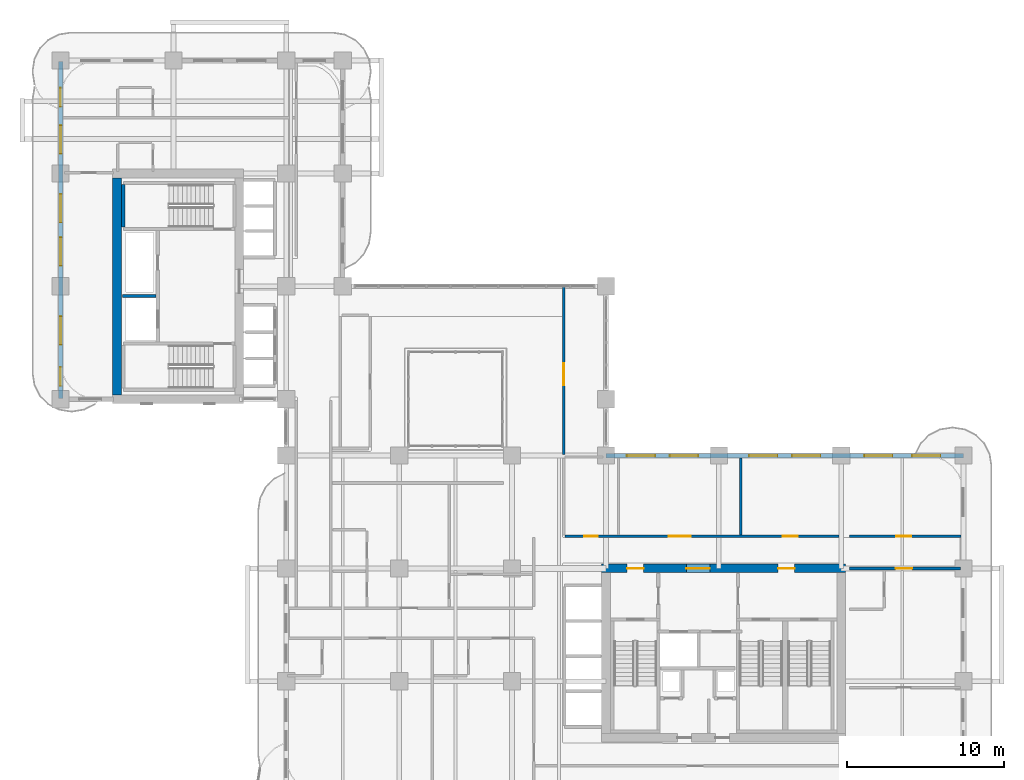
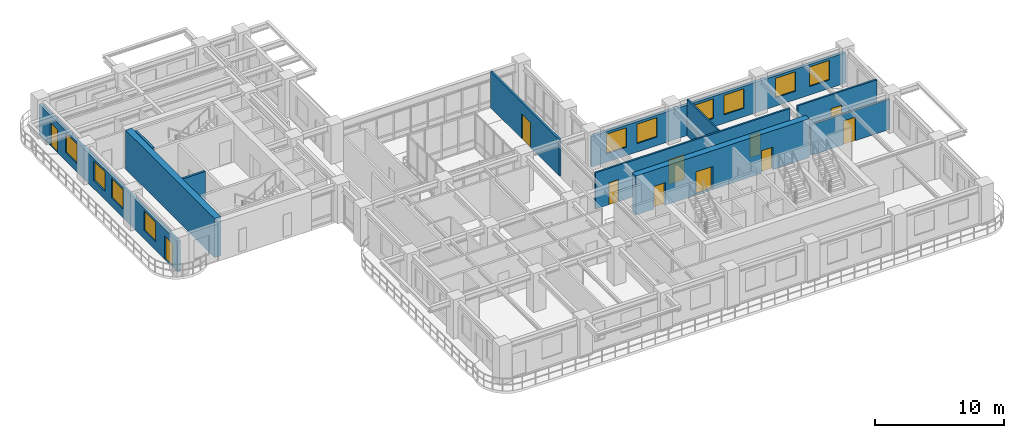
# One storey, part 15 of 22: 11 doors, 11 walls, 10 windows, 21 openings.
"""IFC4 building model written with IfcOpenShell, lengths in metres."""

from ifc_helpers import new_model, si_unit, derived_unit, direction, frame, frame_2d, origin, place, context, subcontext, project, spatial, rectangle, extrude, source, transform, mapped, material, layer, layer_set, type_object, type_shapes, element, fill, save


model = new_model("IFC4")

# Units and contexts
model_context = context("Model", 3, precision=1e-05, world=origin(), true_north=direction((0.0, 1.0)))
body_context = subcontext(model_context, "Body", "Model", "MODEL_VIEW")
ifc_project = project(units=[si_unit("LENGTHUNIT", "METRE"), si_unit("AREAUNIT", "SQUARE_METRE"), si_unit("VOLUMEUNIT", "CUBIC_METRE"), si_unit("PLANEANGLEUNIT", "RADIAN"), si_unit("MASSUNIT", "GRAM", prefix="KILO"), si_unit("THERMODYNAMICTEMPERATUREUNIT", "KELVIN"), si_unit("POWERUNIT", "WATT"), derived_unit("THERMALTRANSMITTANCEUNIT", [(si_unit("POWERUNIT", "WATT"), 1), (si_unit("AREAUNIT", "SQUARE_METRE"), -1), (si_unit("THERMODYNAMICTEMPERATUREUNIT", "KELVIN"), -1)])], contexts=[model_context])

# Site, building, storey
site_placement = place(None, origin())
site = spatial("IfcSite", under=ifc_project, at=site_placement, CompositionType="ELEMENT")
building_placement = place(site_placement, origin())
building = spatial("IfcBuilding", under=site, at=building_placement, Name="Zahravan Archway Hotel and Residences", CompositionType="ELEMENT")
storey_placement = place(building_placement, frame((0.0, 0.0, 87.89990234375)))
storey = spatial("IfcBuildingStorey", under=building, at=storey_placement, Name="L21", CompositionType="ELEMENT", Elevation=87.89990234375)

# Wall, openings, doors
ifc_material_1 = material(Name="Concrete C70/85", Category="concrete")
ifc_layer_1 = layer(ifc_material_1, 0.550048828125, Name="Concrete C70/85", Category="concrete")
ifc_layer_set_1 = layer_set([ifc_layer_1], Name="Concrete C70/85")
wall_type_1 = type_object("IfcWallType", Name="CW-CORE-550", PredefinedType="SHEAR", material=ifc_layer_set_1)
wall_1_placement = place(storey_placement, frame((34.52490234375, 14.39990234375, 0.0), z_axis=(0.0, 0.0, 1.0), x_axis=(1.0, 0.0, 0.0)))
wall_1 = element("IfcWall", 1, at=wall_1_placement, inside=storey, type_object=wall_type_1, Name="L21 Core A Shear N Wall 550 mm", PredefinedType="SHEAR", context=body_context, shape_type="SweptSolid", body=[
    extrude(rectangle(XDim=15.550048828125, YDim=0.550048828125, at=frame_2d((7.77490234375, 0.0))), origin(), (0.0, 0.0, 1.0), 3.7001953125),
])
opening_1_placement = place(wall_1_placement, frame((5.405029296875, 0.0, 0.0)))
opening_1 = element("IfcOpeningElement", 2, at=opening_1_placement, cuts=wall_1, Name="Opening FD-L1", PredefinedType="OPENING", context=body_context, shape_type="SweptSolid", body=[
    extrude(rectangle(XDim=1.5, YDim=2.199951171875, at=frame_2d((0.75, 1.10009765625))), frame((0.0, 0.28515625, 0.0), z_axis=(0.0, -1.0, 0.0), x_axis=(1.0, 0.0, 0.0)), (0.0, 0.0, 1.0), 0.570068359375),
])
opening_2_placement = place(wall_1_placement, frame((1.6201171875, 0.0, 0.0)))
opening_2 = element("IfcOpeningElement", 3, at=opening_2_placement, cuts=wall_1, Name="Opening FD-L2", PredefinedType="OPENING", context=body_context, shape_type="SweptSolid", body=[
    extrude(rectangle(XDim=1.050048828125, YDim=2.14990234375, at=frame_2d((0.52490234375, 1.074951171875))), frame((0.0, 0.28515625, 0.0), z_axis=(0.0, -1.0, 0.0), x_axis=(1.0, 0.0, 0.0)), (0.0, 0.0, 1.0), 0.570068359375),
])
opening_3_placement = place(wall_1_placement, frame((11.25, 0.0, 0.0)))
opening_3 = element("IfcOpeningElement", 4, at=opening_3_placement, cuts=wall_1, Name="Opening FD-L2", PredefinedType="OPENING", context=body_context, shape_type="SweptSolid", body=[
    extrude(rectangle(XDim=1.050048828125, YDim=2.14990234375, at=frame_2d((0.52490234375, 1.074951171875))), frame((0.0, 0.28515625, 0.0), z_axis=(0.0, -1.0, 0.0), x_axis=(1.0, 0.0, 0.0)), (0.0, 0.0, 1.0), 0.570068359375),
])
ifc_material_2 = material(Name="Fire-Rated Painted Steel", Category="steel")
door_type_1 = type_object("IfcDoorType", Name="FD-LOBBY-1100", OperationType="NOTDEFINED", PredefinedType="DOOR", material=ifc_material_2)
shared_shape_1 = source(origin(), body_context, "Body", "SweptSolid", [
    extrude(rectangle(XDim=1.050048828125, YDim=2.14990234375, at=frame_2d((0.52490234375, 1.074951171875))), frame((0.0, 0.02490234375, 0.0), z_axis=(0.0, -1.0, 0.0), x_axis=(1.0, 0.0, 0.0)), (0.0, 0.0, 1.0), 0.050048828125),
])
type_shapes(door_type_1, [shared_shape_1])
door_1_placement = place(opening_2_placement, origin())
door_1 = element("IfcDoor", 5, at=door_1_placement, inside=storey, type_object=door_type_1, Name="L21 Core A West Stair Lobby Door", OperationType="SINGLE_SWING_RIGHT", OverallHeight=2.14990234375, OverallWidth=1.050048828125, PredefinedType="DOOR", context=body_context, shape_type="MappedRepresentation", body=[
    mapped(shared_shape_1, transform((0.0, 0.0, 0.0), scale=1.0)),
])
fill(opening_2, door_1)
door_2_placement = place(opening_3_placement, origin())
door_2 = element("IfcDoor", 6, at=door_2_placement, inside=storey, type_object=door_type_1, Name="L21 Core A East Stair Lobby Door", OperationType="SINGLE_SWING_LEFT", OverallHeight=2.14990234375, OverallWidth=1.050048828125, PredefinedType="DOOR", context=body_context, shape_type="MappedRepresentation", body=[
    mapped(shared_shape_1, transform((0.0, 0.0, 0.0), scale=1.0)),
])
fill(opening_3, door_2)
door_type_2 = type_object("IfcDoorType", Name="FD-LOBBY-1500", OperationType="DOUBLE_DOOR_SINGLE_SWING", PredefinedType="DOOR", material=ifc_material_2)
shared_shape_2 = source(origin(), body_context, "Body", "SweptSolid", [
    extrude(rectangle(XDim=1.5, YDim=2.199951171875, at=frame_2d((0.75, 1.10009765625))), frame((0.0, 0.02490234375, 0.0), z_axis=(0.0, -1.0, 0.0), x_axis=(1.0, 0.0, 0.0)), (0.0, 0.0, 1.0), 0.050048828125),
])
type_shapes(door_type_2, [shared_shape_2])
door_3_placement = place(opening_1_placement, origin())
door_3 = element("IfcDoor", 7, at=door_3_placement, inside=storey, type_object=door_type_2, Name="L21 Core A FSAE Lobby Main Door", OperationType="DOUBLE_DOOR_SINGLE_SWING", OverallHeight=2.199951171875, OverallWidth=1.5, PredefinedType="DOOR", context=body_context, shape_type="MappedRepresentation", body=[
    mapped(shared_shape_2, transform((0.0, 0.0, 0.0), scale=1.0)),
])
fill(opening_1, door_3)

# Wall
wall_2_placement = place(storey_placement, frame((3.60009765625, 25.47509765625, 0.0), z_axis=(0.0, 0.0, 1.0), x_axis=(0.0, 1.0, 0.0)))
element("IfcWall", 8, at=wall_2_placement, inside=storey, type_object=wall_type_1, Name="L21 Core B Shear W Wall 550 mm", PredefinedType="SHEAR", context=body_context, shape_type="SweptSolid", body=[
    extrude(rectangle(XDim=13.849853515625, YDim=0.550048828125, at=frame_2d((6.9248046875, 0.0))), origin(), (0.0, 0.0, 1.0), 3.7001953125),
])

# Wall, openings, windows
ifc_material_3 = material(Name="Honed Red-Ochre Sandstone & Insulated Block", Category="masonry")
ifc_layer_2 = layer(ifc_material_3, 0.280029296875, Name="Honed Red-Ochre Sandstone & Insulated Block", Category="masonry")
ifc_layer_set_2 = layer_set([ifc_layer_2], Name="Honed Red-Ochre Sandstone & Insulated Block")
wall_type_2 = type_object("IfcWallType", Name="EW-LOG-280", PredefinedType="SOLIDWALL", material=ifc_layer_set_2)
wall_3_placement = place(storey_placement, frame((34.800048828125, 21.60009765625, 0.0), z_axis=(0.0, 0.0, 1.0), x_axis=(1.0, 0.0, 0.0)))
wall_3 = element("IfcWall", 9, at=wall_3_placement, inside=storey, type_object=wall_type_2, Name="L21 Exterior Sandstone Wall WA-NE", PredefinedType="SOLIDWALL", context=body_context, shape_type="SweptSolid", body=[
    extrude(rectangle(XDim=22.800048828125, YDim=0.280029296875, at=frame_2d((11.39990234375, 0.0))), origin(), (0.0, 0.0, 1.0), 2.885009765625),
])
opening_4_placement = place(wall_3_placement, frame((1.3310546875, 0.0, 0.800048828125)))
opening_4 = element("IfcOpeningElement", 10, at=opening_4_placement, cuts=wall_3, Name="Opening W-02", PredefinedType="OPENING", context=body_context, shape_type="SweptSolid", body=[
    extrude(rectangle(XDim=1.800048828125, YDim=1.85009765625, at=frame_2d((0.89990234375, 0.925048828125))), frame((0.0, 0.14990234375, 0.0), z_axis=(0.0, -1.0, 0.0), x_axis=(1.0, 0.0, 0.0)), (0.0, 0.0, 1.0), 0.300048828125),
])
opening_5_placement = place(wall_3_placement, frame((4.076904296875, 0.0, 0.800048828125)))
opening_5 = element("IfcOpeningElement", 11, at=opening_5_placement, cuts=wall_3, Name="Opening W-02", PredefinedType="OPENING", context=body_context, shape_type="SweptSolid", body=[
    extrude(rectangle(XDim=1.800048828125, YDim=1.85009765625, at=frame_2d((0.89990234375, 0.925048828125))), frame((0.0, 0.14990234375, 0.0), z_axis=(0.0, -1.0, 0.0), x_axis=(1.0, 0.0, 0.0)), (0.0, 0.0, 1.0), 0.300048828125),
])
opening_6_placement = place(wall_3_placement, frame((9.131103515625, 0.0, 0.800048828125)))
opening_6 = element("IfcOpeningElement", 12, at=opening_6_placement, cuts=wall_3, Name="Opening W-02", PredefinedType="OPENING", context=body_context, shape_type="SweptSolid", body=[
    extrude(rectangle(XDim=1.800048828125, YDim=1.85009765625, at=frame_2d((0.89990234375, 0.925048828125))), frame((0.0, 0.14990234375, 0.0), z_axis=(0.0, -1.0, 0.0), x_axis=(1.0, 0.0, 0.0)), (0.0, 0.0, 1.0), 0.300048828125),
])
opening_7_placement = place(wall_3_placement, frame((11.876953125, 0.0, 0.800048828125)))
opening_7 = element("IfcOpeningElement", 13, at=opening_7_placement, cuts=wall_3, Name="Opening W-02", PredefinedType="OPENING", context=body_context, shape_type="SweptSolid", body=[
    extrude(rectangle(XDim=1.800048828125, YDim=1.85009765625, at=frame_2d((0.89990234375, 0.925048828125))), frame((0.0, 0.14990234375, 0.0), z_axis=(0.0, -1.0, 0.0), x_axis=(1.0, 0.0, 0.0)), (0.0, 0.0, 1.0), 0.300048828125),
])
opening_8_placement = place(wall_3_placement, frame((16.47509765625, 0.0, 0.800048828125)))
opening_8 = element("IfcOpeningElement", 14, at=opening_8_placement, cuts=wall_3, Name="Opening W-02", PredefinedType="OPENING", context=body_context, shape_type="SweptSolid", body=[
    extrude(rectangle(XDim=1.800048828125, YDim=1.85009765625, at=frame_2d((0.89990234375, 0.925048828125))), frame((0.0, 0.14990234375, 0.0), z_axis=(0.0, -1.0, 0.0), x_axis=(1.0, 0.0, 0.0)), (0.0, 0.0, 1.0), 0.300048828125),
])
opening_9_placement = place(wall_3_placement, frame((19.52490234375, 0.0, 0.800048828125)))
opening_9 = element("IfcOpeningElement", 15, at=opening_9_placement, cuts=wall_3, Name="Opening W-02", PredefinedType="OPENING", context=body_context, shape_type="SweptSolid", body=[
    extrude(rectangle(XDim=1.800048828125, YDim=1.85009765625, at=frame_2d((0.89990234375, 0.925048828125))), frame((0.0, 0.14990234375, 0.0), z_axis=(0.0, -1.0, 0.0), x_axis=(1.0, 0.0, 0.0)), (0.0, 0.0, 1.0), 0.300048828125),
])
ifc_material_4 = material(Name="Bronze-Anodized Thermal-Break Aluminium & Low-E Glass", Category="aluminium")
window_type = type_object("IfcWindowType", Name="WIN-TWR-1800", PartitioningType="DOUBLE_PANEL_VERTICAL", PredefinedType="WINDOW", material=ifc_material_4)
shared_shape_3 = source(origin(), body_context, "Body", "SweptSolid", [
    extrude(rectangle(XDim=1.800048828125, YDim=1.85009765625, at=frame_2d((0.89990234375, 0.925048828125))), frame((0.0, 0.030029296875, 0.0), z_axis=(0.0, -1.0, 0.0), x_axis=(1.0, 0.0, 0.0)), (0.0, 0.0, 1.0), 0.06005859375),
])
type_shapes(window_type, [shared_shape_3])
window_1_placement = place(opening_4_placement, origin())
window_1 = element("IfcWindow", 16, at=window_1_placement, inside=storey, type_object=window_type, Name="L21 Loggia Window 16", OverallHeight=1.85009765625, OverallWidth=1.800048828125, PartitioningType="DOUBLE_PANEL_VERTICAL", PredefinedType="WINDOW", context=body_context, shape_type="MappedRepresentation", body=[
    mapped(shared_shape_3, transform((0.0, 0.0, 0.0), scale=1.0)),
])
fill(opening_4, window_1)
window_2_placement = place(opening_5_placement, origin())
window_2 = element("IfcWindow", 17, at=window_2_placement, inside=storey, type_object=window_type, Name="L21 Loggia Window 17", OverallHeight=1.85009765625, OverallWidth=1.800048828125, PartitioningType="DOUBLE_PANEL_VERTICAL", PredefinedType="WINDOW", context=body_context, shape_type="MappedRepresentation", body=[
    mapped(shared_shape_3, transform((0.0, 0.0, 0.0), scale=1.0)),
])
fill(opening_5, window_2)
window_3_placement = place(opening_6_placement, origin())
window_3 = element("IfcWindow", 18, at=window_3_placement, inside=storey, type_object=window_type, Name="L21 Loggia Window 18", OverallHeight=1.85009765625, OverallWidth=1.800048828125, PartitioningType="DOUBLE_PANEL_VERTICAL", PredefinedType="WINDOW", context=body_context, shape_type="MappedRepresentation", body=[
    mapped(shared_shape_3, transform((0.0, 0.0, 0.0), scale=1.0)),
])
fill(opening_6, window_3)
window_4_placement = place(opening_7_placement, origin())
window_4 = element("IfcWindow", 19, at=window_4_placement, inside=storey, type_object=window_type, Name="L21 Loggia Window 19", OverallHeight=1.85009765625, OverallWidth=1.800048828125, PartitioningType="DOUBLE_PANEL_VERTICAL", PredefinedType="WINDOW", context=body_context, shape_type="MappedRepresentation", body=[
    mapped(shared_shape_3, transform((0.0, 0.0, 0.0), scale=1.0)),
])
fill(opening_7, window_4)
window_5_placement = place(opening_8_placement, origin())
window_5 = element("IfcWindow", 20, at=window_5_placement, inside=storey, type_object=window_type, Name="L21 Loggia Window 20", OverallHeight=1.85009765625, OverallWidth=1.800048828125, PartitioningType="DOUBLE_PANEL_VERTICAL", PredefinedType="WINDOW", context=body_context, shape_type="MappedRepresentation", body=[
    mapped(shared_shape_3, transform((0.0, 0.0, 0.0), scale=1.0)),
])
fill(opening_8, window_5)
window_6_placement = place(opening_9_placement, origin())
window_6 = element("IfcWindow", 21, at=window_6_placement, inside=storey, type_object=window_type, Name="L21 Loggia Window 21", OverallHeight=1.85009765625, OverallWidth=1.800048828125, PartitioningType="DOUBLE_PANEL_VERTICAL", PredefinedType="WINDOW", context=body_context, shape_type="MappedRepresentation", body=[
    mapped(shared_shape_3, transform((0.0, 0.0, 0.0), scale=1.0)),
])
fill(opening_9, window_6)

# Wall, openings, doors, windows
wall_4_placement = place(storey_placement, frame((0.0, 25.25, 0.0), z_axis=(0.0, 0.0, 1.0), x_axis=(0.0, 1.0, 0.0)))
wall_4 = element("IfcWall", 22, at=wall_4_placement, inside=storey, type_object=wall_type_2, Name="L21 Exterior Sandstone Wall WB-W", PredefinedType="SOLIDWALL", context=body_context, shape_type="SweptSolid", body=[
    extrude(rectangle(XDim=21.5, YDim=0.280029296875, at=frame_2d((10.75, 0.0))), origin(), (0.0, 0.0, 1.0), 2.885009765625),
])
opening_10_placement = place(wall_4_placement, frame((18.60693359375, 0.0, 0.0)))
opening_10 = element("IfcOpeningElement", 23, at=opening_10_placement, cuts=wall_4, Name="Opening ED-BL1", PredefinedType="OPENING", context=body_context, shape_type="SweptSolid", body=[
    extrude(rectangle(XDim=1.199951171875, YDim=2.199951171875, at=frame_2d((0.60009765625, 1.10009765625))), frame((0.0, 0.14990234375, 0.0), z_axis=(0.0, -1.0, 0.0), x_axis=(1.0, 0.0, 0.0)), (0.0, 0.0, 1.0), 0.300048828125),
])
opening_11_placement = place(wall_4_placement, frame((0.800048828125, 0.0, 0.0)))
opening_11 = element("IfcOpeningElement", 24, at=opening_11_placement, cuts=wall_4, Name="Opening ED-BL1", PredefinedType="OPENING", context=body_context, shape_type="SweptSolid", body=[
    extrude(rectangle(XDim=1.199951171875, YDim=2.199951171875, at=frame_2d((0.60009765625, 1.10009765625))), frame((0.0, 0.14990234375, 0.0), z_axis=(0.0, -1.0, 0.0), x_axis=(1.0, 0.0, 0.0)), (0.0, 0.0, 1.0), 0.300048828125),
])
opening_12_placement = place(wall_4_placement, frame((3.425048828125, 0.0, 0.800048828125)))
opening_12 = element("IfcOpeningElement", 25, at=opening_12_placement, cuts=wall_4, Name="Opening W-02", PredefinedType="OPENING", context=body_context, shape_type="SweptSolid", body=[
    extrude(rectangle(XDim=1.800048828125, YDim=1.85009765625, at=frame_2d((0.89990234375, 0.925048828125))), frame((0.0, 0.14990234375, 0.0), z_axis=(0.0, -1.0, 0.0), x_axis=(1.0, 0.0, 0.0)), (0.0, 0.0, 1.0), 0.300048828125),
])
opening_13_placement = place(wall_4_placement, frame((8.47509765625, 0.0, 0.800048828125)))
opening_13 = element("IfcOpeningElement", 26, at=opening_13_placement, cuts=wall_4, Name="Opening W-02", PredefinedType="OPENING", context=body_context, shape_type="SweptSolid", body=[
    extrude(rectangle(XDim=1.800048828125, YDim=1.85009765625, at=frame_2d((0.89990234375, 0.925048828125))), frame((0.0, 0.14990234375, 0.0), z_axis=(0.0, -1.0, 0.0), x_axis=(1.0, 0.0, 0.0)), (0.0, 0.0, 1.0), 0.300048828125),
])
opening_14_placement = place(wall_4_placement, frame((11.22509765625, 0.0, 0.800048828125)))
opening_14 = element("IfcOpeningElement", 27, at=opening_14_placement, cuts=wall_4, Name="Opening W-02", PredefinedType="OPENING", context=body_context, shape_type="SweptSolid", body=[
    extrude(rectangle(XDim=1.800048828125, YDim=1.85009765625, at=frame_2d((0.89990234375, 0.925048828125))), frame((0.0, 0.14990234375, 0.0), z_axis=(0.0, -1.0, 0.0), x_axis=(1.0, 0.0, 0.0)), (0.0, 0.0, 1.0), 0.300048828125),
])
opening_15_placement = place(wall_4_placement, frame((15.62109375, 0.0, 0.800048828125)))
opening_15 = element("IfcOpeningElement", 28, at=opening_15_placement, cuts=wall_4, Name="Opening W-02", PredefinedType="OPENING", context=body_context, shape_type="SweptSolid", body=[
    extrude(rectangle(XDim=1.800048828125, YDim=1.85009765625, at=frame_2d((0.89990234375, 0.925048828125))), frame((0.0, 0.14990234375, 0.0), z_axis=(0.0, -1.0, 0.0), x_axis=(1.0, 0.0, 0.0)), (0.0, 0.0, 1.0), 0.300048828125),
])
ifc_material_5 = material(Name="Bronze-Anodized Glazed Aluminium", Category="aluminium")
door_type_3 = type_object("IfcDoorType", Name="ED-BALC-1200", OperationType="SLIDING_TO_LEFT", PredefinedType="DOOR", material=ifc_material_5)
shared_shape_4 = source(origin(), body_context, "Body", "SweptSolid", [
    extrude(rectangle(XDim=1.199951171875, YDim=2.199951171875, at=frame_2d((0.60009765625, 1.10009765625))), frame((0.0, 0.02490234375, 0.0), z_axis=(0.0, -1.0, 0.0), x_axis=(1.0, 0.0, 0.0)), (0.0, 0.0, 1.0), 0.050048828125),
])
type_shapes(door_type_3, [shared_shape_4])
door_4_placement = place(opening_10_placement, origin())
door_4 = element("IfcDoor", 29, at=door_4_placement, inside=storey, type_object=door_type_3, Name="L21 Outdoor Access Sliding Door (SLB-BAL-L21-NB)", OperationType="SLIDING_TO_LEFT", OverallHeight=2.199951171875, OverallWidth=1.199951171875, PredefinedType="DOOR", context=body_context, shape_type="MappedRepresentation", body=[
    mapped(shared_shape_4, transform((0.0, 0.0, 0.0), scale=1.0)),
])
fill(opening_10, door_4)
door_5_placement = place(opening_11_placement, origin())
door_5 = element("IfcDoor", 30, at=door_5_placement, inside=storey, type_object=door_type_3, Name="L21 Outdoor Access Sliding Door (SLB-BAL-L21-WB)", OperationType="SLIDING_TO_LEFT", OverallHeight=2.199951171875, OverallWidth=1.199951171875, PredefinedType="DOOR", context=body_context, shape_type="MappedRepresentation", body=[
    mapped(shared_shape_4, transform((0.0, 0.0, 0.0), scale=1.0)),
])
fill(opening_11, door_5)
window_7_placement = place(opening_12_placement, origin())
window_7 = element("IfcWindow", 31, at=window_7_placement, inside=storey, type_object=window_type, Name="L21 Loggia Window 29", OverallHeight=1.85009765625, OverallWidth=1.800048828125, PartitioningType="DOUBLE_PANEL_VERTICAL", PredefinedType="WINDOW", context=body_context, shape_type="MappedRepresentation", body=[
    mapped(shared_shape_3, transform((0.0, 0.0, 0.0), scale=1.0)),
])
fill(opening_12, window_7)
window_8_placement = place(opening_13_placement, origin())
window_8 = element("IfcWindow", 32, at=window_8_placement, inside=storey, type_object=window_type, Name="L21 Loggia Window 30", OverallHeight=1.85009765625, OverallWidth=1.800048828125, PartitioningType="DOUBLE_PANEL_VERTICAL", PredefinedType="WINDOW", context=body_context, shape_type="MappedRepresentation", body=[
    mapped(shared_shape_3, transform((0.0, 0.0, 0.0), scale=1.0)),
])
fill(opening_13, window_8)
window_9_placement = place(opening_14_placement, origin())
window_9 = element("IfcWindow", 33, at=window_9_placement, inside=storey, type_object=window_type, Name="L21 Loggia Window 31", OverallHeight=1.85009765625, OverallWidth=1.800048828125, PartitioningType="DOUBLE_PANEL_VERTICAL", PredefinedType="WINDOW", context=body_context, shape_type="MappedRepresentation", body=[
    mapped(shared_shape_3, transform((0.0, 0.0, 0.0), scale=1.0)),
])
fill(opening_14, window_9)
window_10_placement = place(opening_15_placement, origin())
window_10 = element("IfcWindow", 34, at=window_10_placement, inside=storey, type_object=window_type, Name="L21 Loggia Window 32", OverallHeight=1.85009765625, OverallWidth=1.800048828125, PartitioningType="DOUBLE_PANEL_VERTICAL", PredefinedType="WINDOW", context=body_context, shape_type="MappedRepresentation", body=[
    mapped(shared_shape_3, transform((0.0, 0.0, 0.0), scale=1.0)),
])
fill(opening_15, window_10)

# Wall, openings, doors
ifc_material_6 = material(Name="Fire-Rated Gypsum & Concrete Block", Category="concrete")
ifc_layer_3 = layer(ifc_material_6, 0.159912109375, Name="Fire-Rated Gypsum & Concrete Block", Category="concrete")
ifc_layer_set_3 = layer_set([ifc_layer_3], Name="Fire-Rated Gypsum & Concrete Block")
wall_type_3 = type_object("IfcWallType", Name="PW-CORR-160", PredefinedType="PARTITIONING", material=ifc_layer_set_3)
wall_5_placement = place(storey_placement, frame((32.18994140625, 16.449951171875, 0.0), z_axis=(0.0, 0.0, 1.0), x_axis=(1.0, 0.0, 0.0)))
wall_5 = element("IfcWall", 35, at=wall_5_placement, inside=storey, type_object=wall_type_3, Name="L21 Partition WA-FN", PredefinedType="PARTITIONING", context=body_context, shape_type="SweptSolid", body=[
    extrude(rectangle(XDim=17.469970703125, YDim=0.159912109375, at=frame_2d((8.73486328125, 0.0))), origin(), (0.0, 0.0, 1.0), 3.4501953125),
])
opening_16_placement = place(wall_5_placement, frame((1.235107421875, 0.0, 0.0)))
opening_16 = element("IfcOpeningElement", 36, at=opening_16_placement, cuts=wall_5, Name="Opening D-B1", PredefinedType="OPENING", context=body_context, shape_type="SweptSolid", body=[
    extrude(rectangle(XDim=0.85009765625, YDim=2.10009765625, at=frame_2d((0.425048828125, 1.050048828125))), frame((0.0, 0.08984375, 0.0), z_axis=(0.0, -1.0, 0.0), x_axis=(1.0, 0.0, 0.0)), (0.0, 0.0, 1.0), 0.179931640625),
])
opening_17_placement = place(wall_5_placement, frame((6.610107421875, 0.0, 0.0)))
opening_17 = element("IfcOpeningElement", 37, at=opening_17_placement, cuts=wall_5, Name="Opening D-P1", PredefinedType="OPENING", context=body_context, shape_type="SweptSolid", body=[
    extrude(rectangle(XDim=1.39990234375, YDim=2.35009765625, at=frame_2d((0.699951171875, 1.175048828125))), frame((0.0, 0.08984375, 0.0), z_axis=(0.0, -1.0, 0.0), x_axis=(1.0, 0.0, 0.0)), (0.0, 0.0, 1.0), 0.179931640625),
])
opening_18_placement = place(wall_5_placement, frame((13.885009765625, 0.0, 0.0)))
opening_18 = element("IfcOpeningElement", 38, at=opening_18_placement, cuts=wall_5, Name="Opening D-I1", PredefinedType="OPENING", context=body_context, shape_type="SweptSolid", body=[
    extrude(rectangle(XDim=0.949951171875, YDim=2.14990234375, at=frame_2d((0.47509765625, 1.074951171875))), frame((0.0, 0.08984375, 0.0), z_axis=(0.0, -1.0, 0.0), x_axis=(1.0, 0.0, 0.0)), (0.0, 0.0, 1.0), 0.179931640625),
])
ifc_material_7 = material(Name="Hardwood Veneer Timber", Category="wood")
door_type_4 = type_object("IfcDoorType", Name="ID-BATH-850", OperationType="NOTDEFINED", PredefinedType="DOOR", material=ifc_material_7)
shared_shape_5 = source(origin(), body_context, "Body", "SweptSolid", [
    extrude(rectangle(XDim=0.85009765625, YDim=2.10009765625, at=frame_2d((0.425048828125, 1.050048828125))), frame((0.0, 0.02490234375, 0.0), z_axis=(0.0, -1.0, 0.0), x_axis=(1.0, 0.0, 0.0)), (0.0, 0.0, 1.0), 0.050048828125),
])
type_shapes(door_type_4, [shared_shape_5])
door_6_placement = place(opening_16_placement, origin())
door_6 = element("IfcDoor", 39, at=door_6_placement, inside=storey, type_object=door_type_4, Name="L21 Accessible WC Door", OperationType="SINGLE_SWING_LEFT", OverallHeight=2.10009765625, OverallWidth=0.85009765625, PredefinedType="DOOR", context=body_context, shape_type="MappedRepresentation", body=[
    mapped(shared_shape_5, transform((0.0, 0.0, 0.0), scale=1.0)),
])
fill(opening_16, door_6)
door_type_5 = type_object("IfcDoorType", Name="ID-PUBLIC-1400", OperationType="DOUBLE_DOOR_SINGLE_SWING", PredefinedType="DOOR", material=ifc_material_5)
shared_shape_6 = source(origin(), body_context, "Body", "SweptSolid", [
    extrude(rectangle(XDim=1.39990234375, YDim=2.35009765625, at=frame_2d((0.699951171875, 1.175048828125))), frame((0.0, 0.02490234375, 0.0), z_axis=(0.0, -1.0, 0.0), x_axis=(1.0, 0.0, 0.0)), (0.0, 0.0, 1.0), 0.050048828125),
])
type_shapes(door_type_5, [shared_shape_6])
door_7_placement = place(opening_17_placement, origin())
door_7 = element("IfcDoor", 40, at=door_7_placement, inside=storey, type_object=door_type_5, Name="L21 Private Dining Door", OperationType="DOUBLE_DOOR_SINGLE_SWING", OverallHeight=2.35009765625, OverallWidth=1.39990234375, PredefinedType="DOOR", context=body_context, shape_type="MappedRepresentation", body=[
    mapped(shared_shape_6, transform((0.0, 0.0, 0.0), scale=1.0)),
])
fill(opening_17, door_7)
door_type_6 = type_object("IfcDoorType", Name="ID-INT-950", OperationType="NOTDEFINED", PredefinedType="DOOR", material=ifc_material_7)
shared_shape_7 = source(origin(), body_context, "Body", "SweptSolid", [
    extrude(rectangle(XDim=0.949951171875, YDim=2.14990234375, at=frame_2d((0.47509765625, 1.074951171875))), frame((0.0, 0.02490234375, 0.0), z_axis=(0.0, -1.0, 0.0), x_axis=(1.0, 0.0, 0.0)), (0.0, 0.0, 1.0), 0.050048828125),
])
type_shapes(door_type_6, [shared_shape_7])
door_8_placement = place(opening_18_placement, origin())
door_8 = element("IfcDoor", 41, at=door_8_placement, inside=storey, type_object=door_type_6, Name="L21 Quiet Musalla Door", OperationType="SINGLE_SWING_RIGHT", OverallHeight=2.14990234375, OverallWidth=0.949951171875, PredefinedType="DOOR", context=body_context, shape_type="MappedRepresentation", body=[
    mapped(shared_shape_7, transform((0.0, 0.0, 0.0), scale=1.0)),
])
fill(opening_18, door_8)

# Wall, opening, door
wall_6_placement = place(storey_placement, frame((50.340087890625, 16.449951171875, 0.0), z_axis=(0.0, 0.0, 1.0), x_axis=(1.0, 0.0, 0.0)))
wall_6 = element("IfcWall", 42, at=wall_6_placement, inside=storey, type_object=wall_type_3, Name="L21 Partition EA-PN", PredefinedType="PARTITIONING", context=body_context, shape_type="SweptSolid", body=[
    extrude(rectangle(XDim=7.11181640625, YDim=0.159912109375, at=frame_2d((3.555908203125, 0.0))), origin(), (0.0, 0.0, 1.0), 3.4501953125),
])
opening_19_placement = place(wall_6_placement, frame((2.985107421875, 0.0, 0.0)))
opening_19 = element("IfcOpeningElement", 43, at=opening_19_placement, cuts=wall_6, Name="Opening D-I1", PredefinedType="OPENING", context=body_context, shape_type="SweptSolid", body=[
    extrude(rectangle(XDim=0.949951171875, YDim=2.14990234375, at=frame_2d((0.47509765625, 1.074951171875))), frame((0.0, 0.08984375, 0.0), z_axis=(0.0, -1.0, 0.0), x_axis=(1.0, 0.0, 0.0)), (0.0, 0.0, 1.0), 0.179931640625),
])
door_9_placement = place(opening_19_placement, origin())
door_9 = element("IfcDoor", 44, at=door_9_placement, inside=storey, type_object=door_type_6, Name="L21 East Tea Kitchenette Door", OperationType="SINGLE_SWING_RIGHT", OverallHeight=2.14990234375, OverallWidth=0.949951171875, PredefinedType="DOOR", context=body_context, shape_type="MappedRepresentation", body=[
    mapped(shared_shape_7, transform((0.0, 0.0, 0.0), scale=1.0)),
])
fill(opening_19, door_9)

# Wall
ifc_layer_4 = layer(ifc_material_6, 0.199951171875, Name="Fire-Rated Gypsum & Concrete Block", Category="concrete")
ifc_layer_set_4 = layer_set([ifc_layer_4], Name="Fire-Rated Gypsum & Concrete Block")
wall_type_4 = type_object("IfcWallType", Name="PW-SHAFT-200", PredefinedType="PARTITIONING", material=ifc_layer_set_4)
wall_7_placement = place(storey_placement, frame((3.9599609375, 31.780029296875, 0.0), z_axis=(0.0, 0.0, 1.0), x_axis=(1.0, 0.0, 0.0)))
element("IfcWall", 45, at=wall_7_placement, inside=storey, type_object=wall_type_4, Name="L21 Partition CB-FL3N", PredefinedType="PARTITIONING", context=body_context, shape_type="SweptSolid", body=[
    extrude(rectangle(XDim=2.130126953125, YDim=0.199951171875, at=frame_2d((1.06494140625, 0.0))), origin(), (0.0, 0.0, 1.0), 3.4501953125),
])

# Wall, opening, door
ifc_material_8 = material(Name="Acoustic Stud Partition")
ifc_layer_5 = layer(ifc_material_8, 0.169921875, Name="Acoustic Stud Partition")
ifc_layer_set_5 = layer_set([ifc_layer_5], Name="Acoustic Stud Partition")
wall_type_5 = type_object("IfcWallType", Name="PW-UNIT-170", PredefinedType="PARTITIONING", material=ifc_layer_set_5)
wall_8_placement = place(storey_placement, frame((50.340087890625, 14.39990234375, 0.0), z_axis=(0.0, 0.0, 1.0), x_axis=(1.0, 0.0, 0.0)))
wall_8 = element("IfcWall", 46, at=wall_8_placement, inside=storey, type_object=wall_type_5, Name="L21 Partition EA-PS", PredefinedType="PARTITIONING", context=body_context, shape_type="SweptSolid", body=[
    extrude(rectangle(XDim=7.06982421875, YDim=0.169921875, at=frame_2d((3.534912109375, 0.0))), origin(), (0.0, 0.0, 1.0), 2.885009765625),
])
opening_20_placement = place(wall_8_placement, frame((2.93505859375, 0.0, 0.0)))
opening_20 = element("IfcOpeningElement", 47, at=opening_20_placement, cuts=wall_8, Name="Opening D-U1", PredefinedType="OPENING", context=body_context, shape_type="SweptSolid", body=[
    extrude(rectangle(XDim=1.050048828125, YDim=2.25, at=frame_2d((0.52490234375, 1.125))), frame((0.0, 0.094970703125, 0.0), z_axis=(0.0, -1.0, 0.0), x_axis=(1.0, 0.0, 0.0)), (0.0, 0.0, 1.0), 0.18994140625),
])
door_type_7 = type_object("IfcDoorType", Name="ID-UNIT-1050", OperationType="NOTDEFINED", PredefinedType="DOOR", material=ifc_material_7)
shared_shape_8 = source(origin(), body_context, "Body", "SweptSolid", [
    extrude(rectangle(XDim=1.050048828125, YDim=2.25, at=frame_2d((0.52490234375, 1.125))), frame((0.0, 0.02490234375, 0.0), z_axis=(0.0, -1.0, 0.0), x_axis=(1.0, 0.0, 0.0)), (0.0, 0.0, 1.0), 0.050048828125),
])
type_shapes(door_type_7, [shared_shape_8])
door_10_placement = place(opening_20_placement, origin())
door_10 = element("IfcDoor", 48, at=door_10_placement, inside=storey, type_object=door_type_7, Name="L21 East Suite Door", OperationType="SINGLE_SWING_LEFT", OverallHeight=2.25, OverallWidth=1.050048828125, PredefinedType="DOOR", context=body_context, shape_type="MappedRepresentation", body=[
    mapped(shared_shape_8, transform((0.0, 0.0, 0.0), scale=1.0)),
])
fill(opening_20, door_10)

wall_9_placement = place(storey_placement, frame((32.10009765625, 21.669921875, 0.0), z_axis=(0.0, 0.0, 1.0), x_axis=(0.0, 1.0, 0.0)))
wall_9 = element("IfcWall", 49, at=wall_9_placement, inside=storey, type_object=wall_type_5, Name="L21 Partition ATR-E", PredefinedType="PARTITIONING", context=body_context, shape_type="SweptSolid", body=[
    extrude(rectangle(XDim=10.7021484375, YDim=0.169921875, at=frame_2d((5.35107421875, 0.0))), origin(), (0.0, 0.0, 1.0), 3.4501953125),
])
opening_21_placement = place(wall_9_placement, frame((4.429931640625, 0.0, 0.0)))
opening_21 = element("IfcOpeningElement", 50, at=opening_21_placement, cuts=wall_9, Name="Opening D-P1", PredefinedType="OPENING", context=body_context, shape_type="SweptSolid", body=[
    extrude(rectangle(XDim=1.39990234375, YDim=2.35009765625, at=frame_2d((0.699951171875, 1.175048828125))), frame((0.0, 0.094970703125, 0.0), z_axis=(0.0, -1.0, 0.0), x_axis=(1.0, 0.0, 0.0)), (0.0, 0.0, 1.0), 0.18994140625),
])
door_11_placement = place(opening_21_placement, origin())
door_11 = element("IfcDoor", 51, at=door_11_placement, inside=storey, type_object=door_type_5, Name="L21 Atrium Gallery Cafe Door", OperationType="DOUBLE_DOOR_SINGLE_SWING", OverallHeight=2.35009765625, OverallWidth=1.39990234375, PredefinedType="DOOR", context=body_context, shape_type="MappedRepresentation", body=[
    mapped(shared_shape_6, transform((0.0, 0.0, 0.0), scale=1.0)),
])
fill(opening_21, door_11)

# Walls
ifc_material_9 = material(Name="Moisture-Resistant Blockwork", Category="masonry")
ifc_layer_6 = layer(ifc_material_9, 0.139892578125, Name="Moisture-Resistant Blockwork", Category="masonry")
ifc_layer_set_6 = layer_set([ifc_layer_6], Name="Moisture-Resistant Blockwork")
wall_type_6 = type_object("IfcWallType", Name="PW-WET-140", PredefinedType="PARTITIONING", material=ifc_layer_set_6)
wall_10_placement = place(storey_placement, frame((43.39990234375, 16.5400390625, 0.0), z_axis=(0.0, 0.0, 1.0), x_axis=(0.0, 1.0, 0.0)))
element("IfcWall", 52, at=wall_10_placement, inside=storey, type_object=wall_type_6, Name="L21 Partition NE3-2", PredefinedType="PARTITIONING", context=body_context, shape_type="SweptSolid", body=[
    extrude(rectangle(XDim=4.911865234375, YDim=0.139892578125, at=frame_2d((2.4560546875, 0.0))), origin(), (0.0, 0.0, 1.0), 3.4501953125),
])
ifc_material_10 = material(Name="Concrete C50/60", Category="concrete")
ifc_layer_7 = layer(ifc_material_10, 0.199951171875, Name="Concrete C50/60", Category="concrete")
ifc_layer_set_7 = layer_set([ifc_layer_7], Name="Concrete C50/60")
wall_type_7 = type_object("IfcWallType", Name="SW-STAIR-200", PredefinedType="SHEAR", material=ifc_layer_set_7)
wall_11_placement = place(storey_placement, frame((4.0, 36.179931640625, 0.0), z_axis=(0.0, 0.0, 1.0), x_axis=(0.0, 1.0, 0.0)))
element("IfcWall", 53, at=wall_11_placement, inside=storey, type_object=wall_type_7, Name="L21 Stairwell RC Wall CB-SB2W", PredefinedType="SHEAR", context=body_context, shape_type="SweptSolid", body=[
    extrude(rectangle(XDim=2.699951171875, YDim=0.199951171875, at=frame_2d((1.35009765625, 0.0))), origin(), (0.0, 0.0, 1.0), 3.7001953125),
])

save(model, "model.ifc")
